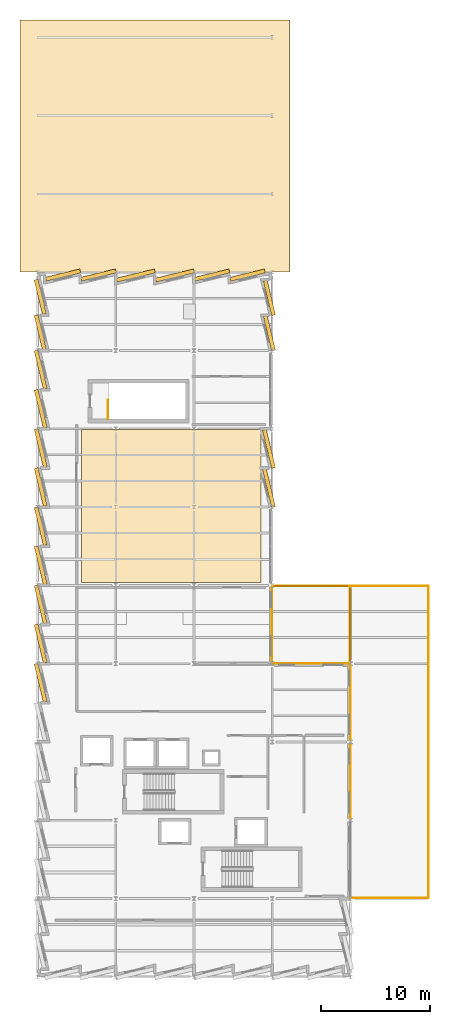
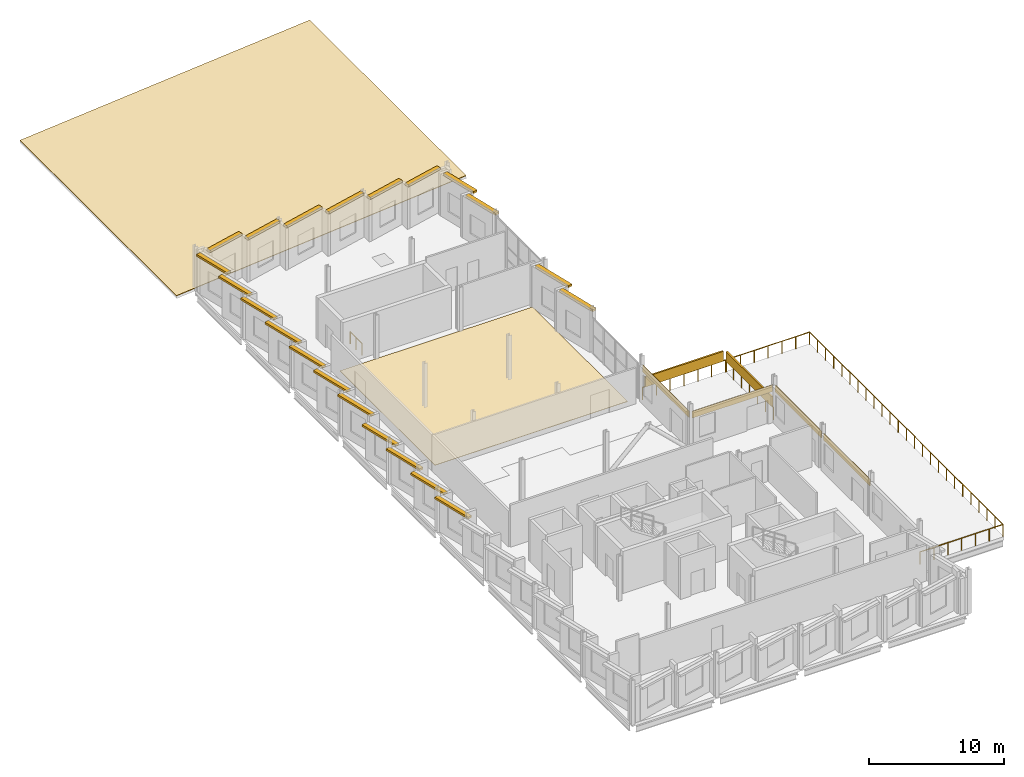
# One storey, part 18 of 18: 23 shading devices, 6 coverings, 6 railings, 1 element without a shape of its own.
"""IFC4 building model written with IfcOpenShell, lengths in metres."""

from ifc_helpers import new_model, si_unit, direction, frame, origin, origin_2d, place, context, subcontext, project, spatial, polyline, rectangle, circle, outline, extrude, material, layer, layer_set, type_object, element, aggregate, save


model = new_model("IFC4")

# Units and contexts
model_context = context("Model", 3, precision=1e-05, world=origin(), true_north=direction((0.0, 1.0)))
body_context = subcontext(model_context, "Body", "Model", "MODEL_VIEW")
ifc_project = project(units=[si_unit("LENGTHUNIT", "METRE"), si_unit("AREAUNIT", "SQUARE_METRE"), si_unit("VOLUMEUNIT", "CUBIC_METRE"), si_unit("PLANEANGLEUNIT", "RADIAN"), si_unit("MASSUNIT", "GRAM", prefix="KILO")], contexts=[model_context])

# Site, building, storey
site_placement = place(None, origin())
site = spatial("IfcSite", under=ifc_project, at=site_placement, CompositionType="ELEMENT")
building_placement = place(site_placement, origin())
building = spatial("IfcBuilding", under=site, at=building_placement, Name="Kalmorath City Hall", CompositionType="ELEMENT")
storey_placement = place(building_placement, frame((0.0, 0.0, 27.0)))
storey = spatial("IfcBuildingStorey", under=building, at=storey_placement, Name="L06", CompositionType="ELEMENT", Elevation=27.0)

# Coverings
ifc_material_1 = material(Name="Hardwood timber cladding", Category="wood")
ifc_layer_1 = layer(ifc_material_1, 0.044921875)
ifc_layer_set_1 = layer_set([ifc_layer_1], Name="Hardwood timber cladding")
covering_type_1 = type_object("IfcCoveringType", Name="Hardwood recessed loggia wall cladding", PredefinedType="CLADDING", material=ifc_layer_set_1)
for number, where, z_axis, x_axis, name in (
    (1, (28.794921875, 18.0, 2.635986328125), (0.0, 0.0, 1.0), (0.0, 1.0, 0.0), "L06 timber loggia lining #92"),
    (2, (28.794921875, 25.199951171875, 2.635986328125), (0.0, 0.0, 1.0), (0.0, 1.0, 0.0), "L06 timber loggia lining #93"),
):
    element("IfcCovering", number, at=place(storey_placement, frame(where, z_axis=z_axis, x_axis=x_axis)), inside=storey, type_object=covering_type_1, Name=name, PredefinedType="CLADDING", context=body_context, shape_type="SweptSolid", body=[
        extrude(rectangle(XDim=6.889892578125, YDim=0.044921875, at=origin_2d()), origin(), (0.0, 0.0, 1.0), 0.60009765625),
    ])
covering_1_placement = place(storey_placement, frame((25.199951171875, 28.794921875, 2.6259765625), z_axis=(0.0, 0.0, 1.0), x_axis=(-1.0, 0.0, 0.0)))
element("IfcCovering", 3, at=covering_1_placement, inside=storey, type_object=covering_type_1, Name="L06 timber loggia lining #94", PredefinedType="CLADDING", context=body_context, shape_type="SweptSolid", body=[
    extrude(rectangle(XDim=6.89306640625, YDim=0.044921875, at=origin_2d()), origin(), (0.0, 0.0, 1.0), 0.60009765625),
])
covering_2_placement = place(storey_placement, frame((21.594970703125, 32.39990234375, 2.6259765625), z_axis=(0.0, 0.0, 1.0), x_axis=(0.0, 1.0, 0.0)))
element("IfcCovering", 4, at=covering_2_placement, inside=storey, type_object=covering_type_1, Name="L06 timber loggia lining #95", PredefinedType="CLADDING", context=body_context, shape_type="SweptSolid", body=[
    extrude(rectangle(XDim=6.889892578125, YDim=0.044921875, at=origin_2d()), origin(), (0.0, 0.0, 1.0), 0.60009765625),
])

# Shading devices
ifc_material_2 = material(Name="Bronze anodised storm louvre")
ifc_layer_2 = layer(ifc_material_2, 0.139892578125)
ifc_layer_set_2 = layer_set([ifc_layer_2], Name="Bronze anodised storm louvre")
shading_device_type_1 = type_object("IfcShadingDeviceType", Name="Hurricane bronze storm louvre bank", PredefinedType="JALOUSIE", material=ifc_layer_set_2)
for number, where, z_axis, x_axis, name in (
    (5, (28.75, 32.39990234375, 1.10009765625), (0.0, 0.0, 1.0), (0.0, 1.0, 0.0), "L06 corner loggia storm louvre #548"),
    (6, (25.199951171875, 35.949951171875, 1.10009765625), (0.0, 0.0, 1.0), (-1.0, 0.0, 0.0), "L06 corner loggia storm louvre #549"),
):
    element("IfcShadingDevice", number, at=place(storey_placement, frame(where, z_axis=z_axis, x_axis=x_axis)), inside=storey, type_object=shading_device_type_1, Name=name, PredefinedType="JALOUSIE", context=body_context, shape_type="SweptSolid", body=[
        extrude(rectangle(XDim=6.699951171875, YDim=0.139892578125, at=origin_2d()), origin(), (0.0, 0.0, 1.0), 0.89990234375),
    ])

# Railings
ifc_material_3 = material(Name="Stainless steel and laminated glass", Category="steel")
railing_type_1 = type_object("IfcRailingType", Name="Outdoor terrace balustrade 1120", PredefinedType="BALUSTRADE", material=ifc_material_3)
railing_1_placement = place(storey_placement, frame((28.75, 28.85009765625, 0.0)))
element("IfcRailing", 7, at=railing_1_placement, inside=storey, type_object=railing_type_1, Name="L06 Northeast Corner Loggia balustrade #17", PredefinedType="BALUSTRADE", context=body_context, shape_type="SweptSolid", body=[
    extrude(circle(Radius=0.02392578125, at=origin_2d()), frame((0.0, 0.0, 1.09619140625), z_axis=(0.0, 1.0, 0.0), x_axis=(-1.0, 0.0, 0.0)), (0.0, 0.0, 1.0), 7.099853515625),
    extrude(circle(Radius=0.02099609375, at=origin_2d()), origin(), (0.0, 0.0, 1.0), 1.072021484375),
    extrude(circle(Radius=0.02099609375, at=origin_2d()), frame((0.0, 1.183349609375, 0.0)), (0.0, 0.0, 1.0), 1.072021484375),
    extrude(circle(Radius=0.02099609375, at=origin_2d()), frame((0.0, 2.36669921875, 0.0)), (0.0, 0.0, 1.0), 1.072021484375),
    extrude(circle(Radius=0.02099609375, at=origin_2d()), frame((0.0, 3.5498046875, 0.0)), (0.0, 0.0, 1.0), 1.072021484375),
    extrude(circle(Radius=0.02099609375, at=origin_2d()), frame((0.0, 4.733154296875, 0.0)), (0.0, 0.0, 1.0), 1.072021484375),
    extrude(circle(Radius=0.02099609375, at=origin_2d()), frame((0.0, 5.91650390625, 0.0)), (0.0, 0.0, 1.0), 1.072021484375),
    extrude(circle(Radius=0.02099609375, at=origin_2d()), frame((0.0, 7.099853515625, 0.0)), (0.0, 0.0, 1.0), 1.072021484375),
])
railing_2_placement = place(storey_placement, frame((28.75, 35.949951171875, 0.0)))
element("IfcRailing", 8, at=railing_2_placement, inside=storey, type_object=railing_type_1, Name="L06 Northeast Corner Loggia balustrade #18", PredefinedType="BALUSTRADE", context=body_context, shape_type="SweptSolid", body=[
    extrude(circle(Radius=0.02392578125, at=origin_2d()), frame((0.0, 0.0, 1.09619140625), z_axis=(-1.0, 0.0, 0.0), x_axis=(0.0, -1.0, 0.0)), (0.0, 0.0, 1.0), 7.10009765625),
    extrude(circle(Radius=0.02099609375, at=origin_2d()), origin(), (0.0, 0.0, 1.0), 1.072021484375),
    extrude(circle(Radius=0.02099609375, at=origin_2d()), frame((-1.183349609375, 0.0, 0.0)), (0.0, 0.0, 1.0), 1.072021484375),
    extrude(circle(Radius=0.02099609375, at=origin_2d()), frame((-2.36669921875, 0.0, 0.0)), (0.0, 0.0, 1.0), 1.072021484375),
    extrude(circle(Radius=0.02099609375, at=origin_2d()), frame((-3.550048828125, 0.0, 0.0)), (0.0, 0.0, 1.0), 1.072021484375),
    extrude(circle(Radius=0.02099609375, at=origin_2d()), frame((-4.7333984375, 0.0, 0.0)), (0.0, 0.0, 1.0), 1.072021484375),
    extrude(circle(Radius=0.02099609375, at=origin_2d()), frame((-5.916748046875, 0.0, 0.0)), (0.0, 0.0, 1.0), 1.072021484375),
    extrude(circle(Radius=0.02099609375, at=origin_2d()), frame((-7.10009765625, 0.0, 0.0)), (0.0, 0.0, 1.0), 1.072021484375),
])
railing_3_placement = place(storey_placement, frame((28.85009765625, 7.25, 0.0)))
element("IfcRailing", 9, at=railing_3_placement, inside=storey, type_object=railing_type_1, Name="L06 Executive East Roof Terrace balustrade #19", PredefinedType="BALUSTRADE", context=body_context, shape_type="SweptSolid", body=[
    extrude(circle(Radius=0.02392578125, at=origin_2d()), frame((0.0, 0.0, 1.09619140625), z_axis=(1.0, 0.0, 0.0), x_axis=(0.0, 1.0, 0.0)), (0.0, 0.0, 1.0), 7.099853515625),
    extrude(circle(Radius=0.02099609375, at=origin_2d()), origin(), (0.0, 0.0, 1.0), 1.072021484375),
    extrude(circle(Radius=0.02099609375, at=origin_2d()), frame((1.183349609375, 0.0, 0.0)), (0.0, 0.0, 1.0), 1.072021484375),
    extrude(circle(Radius=0.02099609375, at=origin_2d()), frame((2.36669921875, 0.0, 0.0)), (0.0, 0.0, 1.0), 1.072021484375),
    extrude(circle(Radius=0.02099609375, at=origin_2d()), frame((3.5498046875, 0.0, 0.0)), (0.0, 0.0, 1.0), 1.072021484375),
    extrude(circle(Radius=0.02099609375, at=origin_2d()), frame((4.733154296875, 0.0, 0.0)), (0.0, 0.0, 1.0), 1.072021484375),
    extrude(circle(Radius=0.02099609375, at=origin_2d()), frame((5.91650390625, 0.0, 0.0)), (0.0, 0.0, 1.0), 1.072021484375),
    extrude(circle(Radius=0.02099609375, at=origin_2d()), frame((7.099853515625, 0.0, 0.0)), (0.0, 0.0, 1.0), 1.072021484375),
])
railing_4_placement = place(storey_placement, frame((35.949951171875, 7.25, 0.0)))
element("IfcRailing", 10, at=railing_4_placement, inside=storey, type_object=railing_type_1, Name="L06 Executive East Roof Terrace balustrade #20", PredefinedType="BALUSTRADE", context=body_context, shape_type="SweptSolid", body=[
    extrude(circle(Radius=0.02392578125, at=origin_2d()), frame((0.0, 0.0, 1.09619140625), z_axis=(0.0, 1.0, 0.0), x_axis=(-1.0, 0.0, 0.0)), (0.0, 0.0, 1.0), 28.699951171875),
    extrude(circle(Radius=0.02099609375, at=origin_2d()), origin(), (0.0, 0.0, 1.0), 1.072021484375),
    extrude(circle(Radius=0.02099609375, at=origin_2d()), frame((0.0, 1.19580078125, 0.0)), (0.0, 0.0, 1.0), 1.072021484375),
    extrude(circle(Radius=0.02099609375, at=origin_2d()), frame((0.0, 2.3916015625, 0.0)), (0.0, 0.0, 1.0), 1.072021484375),
    extrude(circle(Radius=0.02099609375, at=origin_2d()), frame((0.0, 3.58740234375, 0.0)), (0.0, 0.0, 1.0), 1.072021484375),
    extrude(circle(Radius=0.02099609375, at=origin_2d()), frame((0.0, 4.783203125, 0.0)), (0.0, 0.0, 1.0), 1.072021484375),
    extrude(circle(Radius=0.02099609375, at=origin_2d()), frame((0.0, 5.979248046875, 0.0)), (0.0, 0.0, 1.0), 1.072021484375),
    extrude(circle(Radius=0.02099609375, at=origin_2d()), frame((0.0, 7.175048828125, 0.0)), (0.0, 0.0, 1.0), 1.072021484375),
    extrude(circle(Radius=0.02099609375, at=origin_2d()), frame((0.0, 8.370849609375, 0.0)), (0.0, 0.0, 1.0), 1.072021484375),
    extrude(circle(Radius=0.02099609375, at=origin_2d()), frame((0.0, 9.566650390625, 0.0)), (0.0, 0.0, 1.0), 1.072021484375),
    extrude(circle(Radius=0.02099609375, at=origin_2d()), frame((0.0, 10.762451171875, 0.0)), (0.0, 0.0, 1.0), 1.072021484375),
    extrude(circle(Radius=0.02099609375, at=origin_2d()), frame((0.0, 11.958251953125, 0.0)), (0.0, 0.0, 1.0), 1.072021484375),
    extrude(circle(Radius=0.02099609375, at=origin_2d()), frame((0.0, 13.154052734375, 0.0)), (0.0, 0.0, 1.0), 1.072021484375),
    extrude(circle(Radius=0.02099609375, at=origin_2d()), frame((0.0, 14.35009765625, 0.0)), (0.0, 0.0, 1.0), 1.072021484375),
    extrude(circle(Radius=0.02099609375, at=origin_2d()), frame((0.0, 15.5458984375, 0.0)), (0.0, 0.0, 1.0), 1.072021484375),
    extrude(circle(Radius=0.02099609375, at=origin_2d()), frame((0.0, 16.74169921875, 0.0)), (0.0, 0.0, 1.0), 1.072021484375),
    extrude(circle(Radius=0.02099609375, at=origin_2d()), frame((0.0, 17.9375, 0.0)), (0.0, 0.0, 1.0), 1.072021484375),
    extrude(circle(Radius=0.02099609375, at=origin_2d()), frame((0.0, 19.13330078125, 0.0)), (0.0, 0.0, 1.0), 1.072021484375),
    extrude(circle(Radius=0.02099609375, at=origin_2d()), frame((0.0, 20.3291015625, 0.0)), (0.0, 0.0, 1.0), 1.072021484375),
    extrude(circle(Radius=0.02099609375, at=origin_2d()), frame((0.0, 21.52490234375, 0.0)), (0.0, 0.0, 1.0), 1.072021484375),
    extrude(circle(Radius=0.02099609375, at=origin_2d()), frame((0.0, 22.720703125, 0.0)), (0.0, 0.0, 1.0), 1.072021484375),
    extrude(circle(Radius=0.02099609375, at=origin_2d()), frame((0.0, 23.91650390625, 0.0)), (0.0, 0.0, 1.0), 1.072021484375),
    extrude(circle(Radius=0.02099609375, at=origin_2d()), frame((0.0, 25.112548828125, 0.0)), (0.0, 0.0, 1.0), 1.072021484375),
    extrude(circle(Radius=0.02099609375, at=origin_2d()), frame((0.0, 26.308349609375, 0.0)), (0.0, 0.0, 1.0), 1.072021484375),
    extrude(circle(Radius=0.02099609375, at=origin_2d()), frame((0.0, 27.504150390625, 0.0)), (0.0, 0.0, 1.0), 1.072021484375),
    extrude(circle(Radius=0.02099609375, at=origin_2d()), frame((0.0, 28.699951171875, 0.0)), (0.0, 0.0, 1.0), 1.072021484375),
])
railing_5_placement = place(storey_placement, frame((35.949951171875, 35.949951171875, 0.0)))
element("IfcRailing", 11, at=railing_5_placement, inside=storey, type_object=railing_type_1, Name="L06 Executive East Roof Terrace balustrade #21", PredefinedType="BALUSTRADE", context=body_context, shape_type="SweptSolid", body=[
    extrude(circle(Radius=0.02392578125, at=origin_2d()), frame((0.0, 0.0, 1.09619140625), z_axis=(-1.0, 0.0, 0.0), x_axis=(0.0, -1.0, 0.0)), (0.0, 0.0, 1.0), 7.099853515625),
    extrude(circle(Radius=0.02099609375, at=origin_2d()), origin(), (0.0, 0.0, 1.0), 1.072021484375),
    extrude(circle(Radius=0.02099609375, at=origin_2d()), frame((-1.183349609375, 0.0, 0.0)), (0.0, 0.0, 1.0), 1.072021484375),
    extrude(circle(Radius=0.02099609375, at=origin_2d()), frame((-2.36669921875, 0.0, 0.0)), (0.0, 0.0, 1.0), 1.072021484375),
    extrude(circle(Radius=0.02099609375, at=origin_2d()), frame((-3.5498046875, 0.0, 0.0)), (0.0, 0.0, 1.0), 1.072021484375),
    extrude(circle(Radius=0.02099609375, at=origin_2d()), frame((-4.733154296875, 0.0, 0.0)), (0.0, 0.0, 1.0), 1.072021484375),
    extrude(circle(Radius=0.02099609375, at=origin_2d()), frame((-5.91650390625, 0.0, 0.0)), (0.0, 0.0, 1.0), 1.072021484375),
    extrude(circle(Radius=0.02099609375, at=origin_2d()), frame((-7.099853515625, 0.0, 0.0)), (0.0, 0.0, 1.0), 1.072021484375),
])

# Covering
ifc_material_4 = material(Name="Polished terrazzo finish")
ifc_layer_3 = layer(ifc_material_4, 0.034912109375)
ifc_layer_set_3 = layer_set([ifc_layer_3], Name="Polished terrazzo finish")
covering_type_2 = type_object("IfcCoveringType", Name="Polished civic terrazzo floor finish 35", PredefinedType="FLOORING", material=ifc_layer_set_3)
covering_3_placement = place(storey_placement, origin())
element("IfcCovering", 12, at=covering_3_placement, inside=storey, type_object=covering_type_2, Name="L06 Corporation Counsel Law Library terrazzo flooring", PredefinedType="FLOORING", context=body_context, shape_type="SweptSolid", body=[
    extrude(outline(polyline([(20.550048828125, 50.35009765625), (20.550048828125, 36.25), (4.050048828125, 36.25), (4.050048828125, 50.35009765625), (20.550048828125, 50.35009765625)])), origin(), (0.0, 0.0, 1.0), 0.034912109375),
])

# Shading devices
ifc_material_5 = material(Name="Precast concrete C40/50", Category="concrete")
ifc_layer_4 = layer(ifc_material_5, 0.179931640625)
ifc_layer_set_4 = layer_set([ifc_layer_4], Name="Precast concrete C40/50")
shading_device_type_2 = type_object("IfcShadingDeviceType", Name="Precast sawtooth brow sunshade 350", PredefinedType="USERDEFINED", material=ifc_layer_set_4)
for number, where, z_axis, x_axis, name in (
    (13, (21.298828125, 44.953857421875, 3.58984375), (0.0, 0.0, 1.0), (-0.233445363856, 0.972369920398, 0.0), "L06 precast sawtooth hood #483"),
    (14, (21.298828125, 48.5537109375, 3.58984375), (0.0, 0.0, 1.0), (-0.233445363856, 0.972369920398, 0.0), "L06 precast sawtooth hood #484"),
):
    element("IfcShadingDevice", number, at=place(storey_placement, frame(where, z_axis=z_axis, x_axis=x_axis)), inside=storey, type_object=shading_device_type_2, Name=name, ObjectType="SUNSHADE", PredefinedType="USERDEFINED", context=body_context, shape_type="SweptSolid", body=[
        extrude(rectangle(XDim=3.607421875, YDim=0.360107421875, at=origin_2d()), origin(), (0.0, 0.0, 1.0), 0.179931640625),
    ])
for number, where, z_axis, x_axis, name in (
    (15, (21.339599609375, 59.183837890625, 3.58984375), (0.0, 0.0, 1.0), (-0.233462334877, 0.972365845859, 0.0), "L06 precast sawtooth hood #485"),
    (16, (21.339599609375, 62.44384765625, 3.58984375), (0.0, 0.0, 1.0), (-0.233462334877, 0.972365845859, 0.0), "L06 precast sawtooth hood #486"),
    (17, (19.336181640625, 64.539794921875, 3.58984375), (0.0, 0.0, 1.0), (-0.972365845859, -0.233462334877, 0.0), "L06 precast sawtooth hood #487"),
    (18, (16.076171875, 64.539794921875, 3.58984375), (0.0, 0.0, 1.0), (-0.972365845859, -0.233462334877, 0.0), "L06 precast sawtooth hood #488"),
):
    element("IfcShadingDevice", number, at=place(storey_placement, frame(where, z_axis=z_axis, x_axis=x_axis)), inside=storey, type_object=shading_device_type_2, Name=name, ObjectType="SUNSHADE", PredefinedType="USERDEFINED", context=body_context, shape_type="SweptSolid", body=[
        extrude(rectangle(XDim=3.257568359375, YDim=0.360107421875, at=origin_2d()), origin(), (0.0, 0.0, 1.0), 0.179931640625),
    ])
for number, where, z_axis, x_axis, name in (
    (19, (12.646240234375, 64.498779296875, 3.58984375), (0.0, 0.0, 1.0), (-0.972369920398, -0.233445363856, 0.0), "L06 precast sawtooth hood #489"),
    (20, (9.046142578125, 64.498779296875, 3.58984375), (0.0, 0.0, 1.0), (-0.972369920398, -0.233445363856, 0.0), "L06 precast sawtooth hood #490"),
):
    element("IfcShadingDevice", number, at=place(storey_placement, frame(where, z_axis=z_axis, x_axis=x_axis)), inside=storey, type_object=shading_device_type_2, Name=name, ObjectType="SUNSHADE", PredefinedType="USERDEFINED", context=body_context, shape_type="SweptSolid", body=[
        extrude(rectangle(XDim=3.607421875, YDim=0.360107421875, at=origin_2d()), origin(), (0.0, 0.0, 1.0), 0.179931640625),
    ])
for number, where, z_axis, x_axis, name in (
    (21, (5.6162109375, 64.539794921875, 3.58984375), (0.0, 0.0, 1.0), (-0.972365845859, -0.233462334877, 0.0), "L06 precast sawtooth hood #491"),
    (22, (2.356201171875, 64.539794921875, 3.58984375), (0.0, 0.0, 1.0), (-0.972365845859, -0.233462334877, 0.0), "L06 precast sawtooth hood #492"),
    (23, (0.26025390625, 62.5361328125, 3.58984375), (0.0, 0.0, 1.0), (0.233462334877, -0.972365845859, 0.0), "L06 precast sawtooth hood #493"),
    (24, (0.26025390625, 59.276123046875, 3.58984375), (0.0, 0.0, 1.0), (0.233462334877, -0.972365845859, 0.0), "L06 precast sawtooth hood #494"),
):
    element("IfcShadingDevice", number, at=place(storey_placement, frame(where, z_axis=z_axis, x_axis=x_axis)), inside=storey, type_object=shading_device_type_2, Name=name, ObjectType="SUNSHADE", PredefinedType="USERDEFINED", context=body_context, shape_type="SweptSolid", body=[
        extrude(rectangle(XDim=3.257568359375, YDim=0.360107421875, at=origin_2d()), origin(), (0.0, 0.0, 1.0), 0.179931640625),
    ])
for number, where, z_axis, x_axis, name in (
    (25, (0.301025390625, 55.84619140625, 3.58984375), (0.0, 0.0, 1.0), (0.233445363856, -0.972369920398, 0.0), "L06 precast sawtooth hood #495"),
    (26, (0.301025390625, 52.24609375, 3.58984375), (0.0, 0.0, 1.0), (0.233445363856, -0.972369920398, 0.0), "L06 precast sawtooth hood #496"),
    (27, (0.301025390625, 48.646240234375, 3.58984375), (0.0, 0.0, 1.0), (0.233445363856, -0.972369920398, 0.0), "L06 precast sawtooth hood #497"),
    (28, (0.301025390625, 45.046142578125, 3.58984375), (0.0, 0.0, 1.0), (0.233445363856, -0.972369920398, 0.0), "L06 precast sawtooth hood #498"),
    (29, (0.301025390625, 41.4462890625, 3.58984375), (0.0, 0.0, 1.0), (0.233445363856, -0.972369920398, 0.0), "L06 precast sawtooth hood #499"),
    (30, (0.301025390625, 37.84619140625, 3.0458984375), (0.0, 0.0, 1.0), (0.233445363856, -0.972369920398, 0.0), "L06 precast sawtooth hood #500"),
    (31, (0.301025390625, 34.24609375, 3.0458984375), (0.0, 0.0, 1.0), (0.233445363856, -0.972369920398, 0.0), "L06 precast sawtooth hood #501"),
    (32, (0.301025390625, 30.646240234375, 3.0361328125), (0.0, 0.0, 1.0), (0.233445363856, -0.972369920398, 0.0), "L06 precast sawtooth hood #502"),
    (33, (0.301025390625, 27.046142578125, 3.0361328125), (0.0, 0.0, 1.0), (0.233445363856, -0.972369920398, 0.0), "L06 precast sawtooth hood #503"),
):
    element("IfcShadingDevice", number, at=place(storey_placement, frame(where, z_axis=z_axis, x_axis=x_axis)), inside=storey, type_object=shading_device_type_2, Name=name, ObjectType="SUNSHADE", PredefinedType="USERDEFINED", context=body_context, shape_type="SweptSolid", body=[
        extrude(rectangle(XDim=3.607421875, YDim=0.360107421875, at=origin_2d()), origin(), (0.0, 0.0, 1.0), 0.179931640625),
    ])

# Railing
ifc_material_6 = material(Name="Painted steel guardrail", Category="steel")
railing_type_2 = type_object("IfcRailingType", Name="Protected stair guardrail 1100", PredefinedType="GUARDRAIL", material=ifc_material_6)
railing_6_placement = place(storey_placement, frame((6.5, 51.300048828125, 0.0)))
element("IfcRailing", 34, at=railing_6_placement, inside=storey, type_object=railing_type_2, Name="L06 ST-3 top well guard 1", PredefinedType="GUARDRAIL", context=body_context, shape_type="SweptSolid", body=[
    extrude(circle(Radius=0.02392578125, at=origin_2d()), frame((0.0, 0.0, 1.076171875), z_axis=(0.0, 1.0, 0.0), x_axis=(-1.0, 0.0, 0.0)), (0.0, 0.0, 1.0), 1.75),
    extrude(circle(Radius=0.02099609375, at=origin_2d()), origin(), (0.0, 0.0, 1.0), 1.052001953125),
    extrude(circle(Radius=0.02099609375, at=origin_2d()), frame((0.0, 0.875, 0.0)), (0.0, 0.0, 1.0), 1.052001953125),
    extrude(circle(Radius=0.02099609375, at=origin_2d()), frame((0.0, 1.75, 0.0)), (0.0, 0.0, 1.0), 1.052001953125),
])

# Roof, covering
ifc_material_7 = material(Name="Concrete C40/50", Category="concrete")
roof_type = type_object("IfcRoofType", Name="Folded-plate steel and concrete roof assembly", PredefinedType="GABLE_ROOF", material=ifc_material_7)
roof_placement = place(storey_placement, origin())
roof = element("IfcRoof", 35, at=roof_placement, inside=storey, type_object=roof_type, Name="L06 roof assembly RFG-V6", PredefinedType="GABLE_ROOF")
ifc_material_8 = material(Name="Weathered zinc standing-seam roofing")
ifc_layer_5 = layer(ifc_material_8, 0.050048828125)
ifc_layer_set_5 = layer_set([ifc_layer_5], Name="Weathered zinc standing-seam roofing")
covering_type_3 = type_object("IfcCoveringType", Name="Standing-seam hurricane roof covering", PredefinedType="ROOFING", material=ifc_layer_set_5)
covering_4_placement = place(storey_placement, frame((-1.60009765625, 64.800048828125, 0.050048828125), z_axis=(-0.088360559345, 0.0, 0.996088556079), x_axis=(0.996088556079, 0.0, 0.088360559345)))
covering_4 = element("IfcCovering", 36, at=covering_4_placement, type_object=covering_type_3, Name="L06 standing-seam roof covering RFG-V6", PredefinedType="ROOFING", context=body_context, shape_type="SweptSolid", body=[
    extrude(outline(polyline([(0.0, 0.0), (24.897433743982898, 0.0), (24.897433743982898, 23.199951171875), (0.0, 23.199951171875), (0.0, 0.0)])), origin(), (0.0, 0.0, -1.0), 0.050048828125),
])
aggregate(roof, [covering_4])

save(model, "model.ifc")
